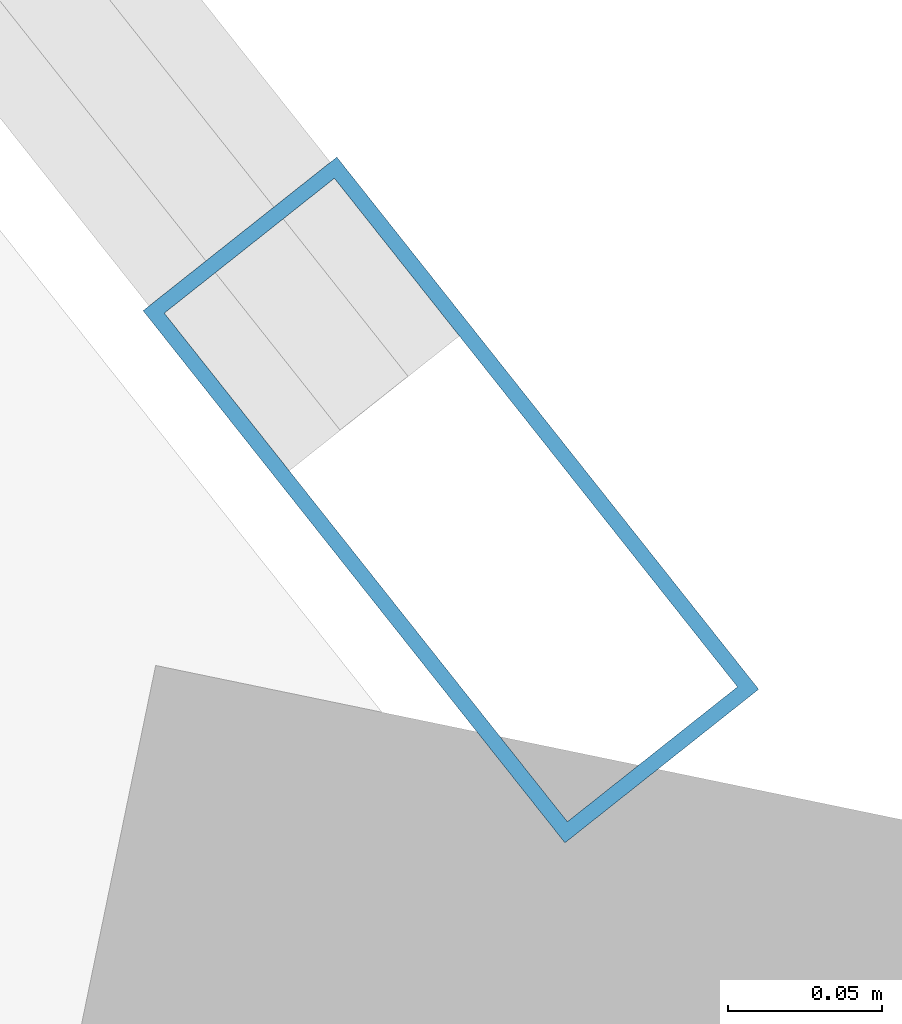
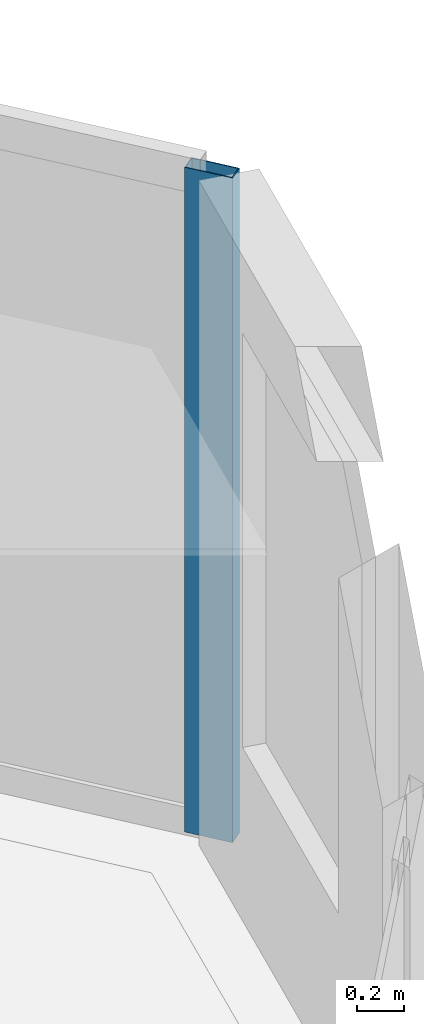
# One storey, part 14 of 24: 1 member, 1 element without a shape of its own.
"""IFC4 building model written with IfcOpenShell, lengths in metres."""

from ifc_helpers import new_model, si_unit, direction, frame, origin, origin_2d, place, context, subcontext, project, spatial, hollow_rectangle, extrude, source, transform, mapped, material, layer, layer_set, material_profile, profile_set, type_object, type_shapes, element, aggregate, save


model = new_model("IFC4")

# Units and contexts
model_context = context("Model", 3, precision=1e-05, world=origin(), true_north=direction((0.0, 1.0)))
body_context = subcontext(model_context, "Body", "Model", "MODEL_VIEW")
ifc_project = project(units=[si_unit("LENGTHUNIT", "METRE"), si_unit("AREAUNIT", "SQUARE_METRE"), si_unit("VOLUMEUNIT", "CUBIC_METRE"), si_unit("PLANEANGLEUNIT", "RADIAN"), si_unit("MASSUNIT", "GRAM", prefix="KILO")], contexts=[model_context])

# Site, building, storey
site_placement = place(None, origin())
site = spatial("IfcSite", under=ifc_project, at=site_placement, CompositionType="ELEMENT")
building_placement = place(site_placement, origin())
building = spatial("IfcBuilding", under=site, at=building_placement, Name="Talar Marvaseh", CompositionType="ELEMENT")
storey_placement = place(building_placement, frame((0.0, 0.0, 81.0)))
storey = spatial("IfcBuildingStorey", under=building, at=storey_placement, Name="L20", CompositionType="ELEMENT", Elevation=81.0)

# Curtain wall, member
ifc_material = material(Name="Architectural Aluminium", Category="aluminium")
ifc_layer = layer(ifc_material, 0.219970703125)
ifc_layer_set = layer_set([ifc_layer], Name="Architectural Aluminium")
curtain_wall_type = type_object("IfcCurtainWallType", Name="Unitised Low-E Museum Curtain Wall Z1", PredefinedType="NOTDEFINED", material=ifc_layer_set)
curtain_wall_placement = place(storey_placement, origin())
curtain_wall = element("IfcCurtainWall", 1, at=curtain_wall_placement, inside=storey, type_object=curtain_wall_type, Name="L20 Unitised Low-E Museum Curtain Wall Z1", PredefinedType="NOTDEFINED")
ifc_material_profile = material_profile(ifc_material, hollow_rectangle(XDim=0.080078125, YDim=0.219970703125, WallThickness=0.0048828125, at=origin_2d()), Name="RHS220x80x5")
ifc_profile_set = profile_set([ifc_material_profile], Name="Architectural Aluminium")
member_type = type_object("IfcMemberType", Name="Unitised Curtain Wall Heavy Mullion RHS220x80x5", PredefinedType="MULLION", material=ifc_profile_set)
shared_shape = source(origin(), body_context, "Body", "SweptSolid", [
    extrude(hollow_rectangle(XDim=0.080078125, YDim=0.219970703125, WallThickness=0.0048828125, at=origin_2d()), origin(), (0.0, 0.0, 1.0), 3.449951171875),
])
type_shapes(member_type, [shared_shape])
member_placement = place(storey_placement, frame((52.27197265625, 29.5390625, 0.0), z_axis=(0.0, 0.0, 1.0), x_axis=(0.783650669629, 0.621201761097, 0.0)))
member = element("IfcMember", 2, at=member_placement, type_object=member_type, Name="CW-Z1 mullion 5", PredefinedType="MULLION", context=body_context, shape_type="MappedRepresentation", body=[
    mapped(shared_shape, transform((0.0, 0.0, 0.0), x_axis=(1.0, 0.0, 0.0), y_axis=(0.0, 1.0, 0.0), z_axis=(0.0, 0.0, 1.0), scale=1.0)),
])
aggregate(curtain_wall, [member])

save(model, "model.ifc")
